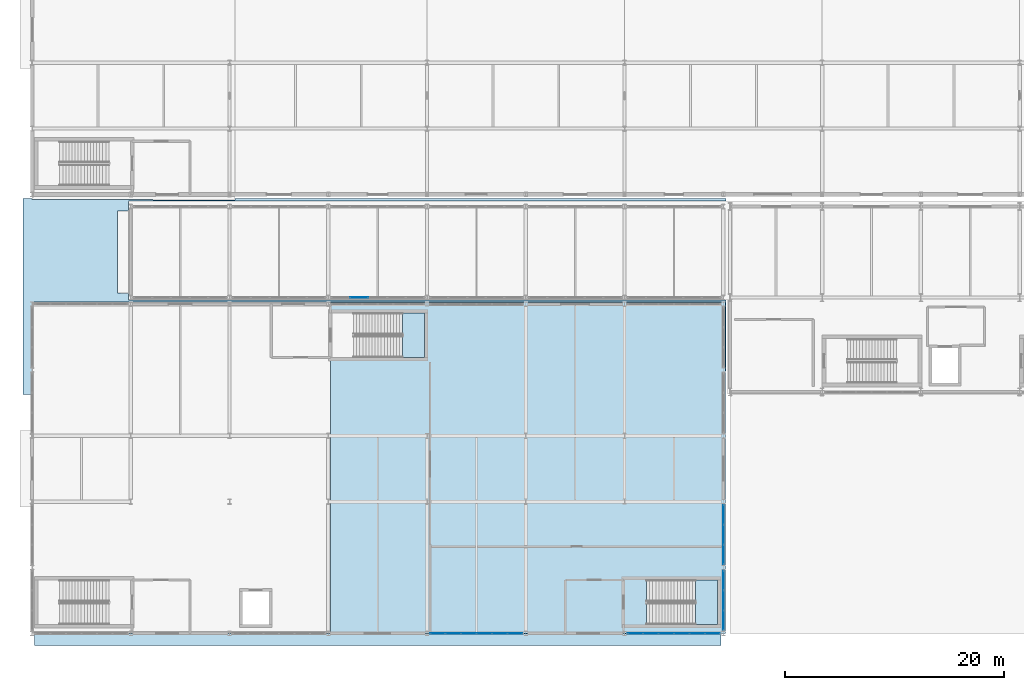
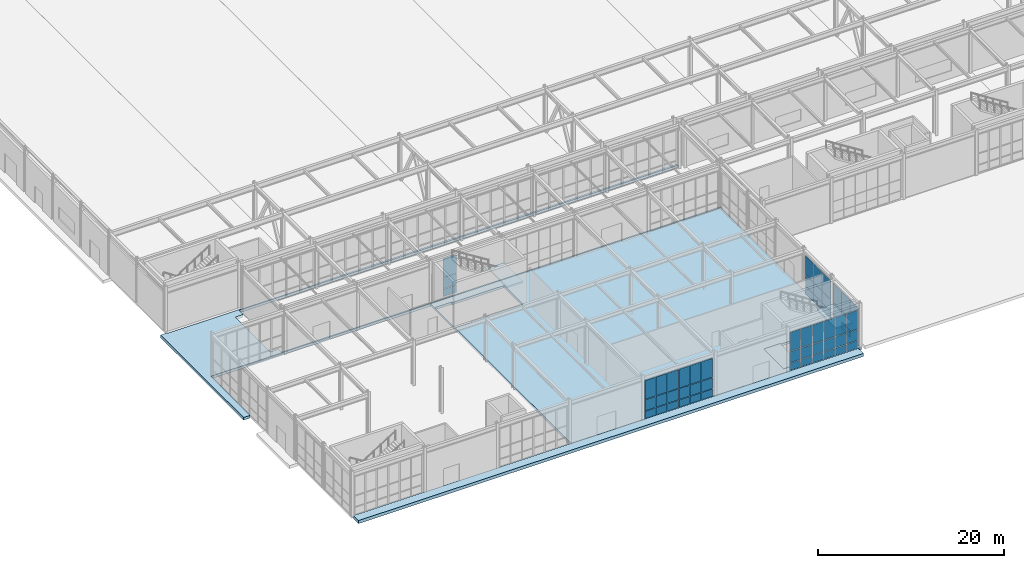
# One storey, part 103 of 146: 57 plates, 6 slabs, 7 elements without a shape of their own.
"""IFC4 building model written with IfcOpenShell, lengths in metres."""

from ifc_helpers import new_model, si_unit, direction, frame, origin, origin_2d, place, context, subcontext, project, spatial, polyline, rectangle, outline, extrude, material, layer, layer_set, type_object, element, aggregate, save


model = new_model("IFC4")

# Units and contexts
model_context = context("Model", 3, precision=1e-05, world=origin(), true_north=direction((0.0, 1.0)))
body_context = subcontext(model_context, "Body", "Model", "MODEL_VIEW")
ifc_project = project(units=[si_unit("LENGTHUNIT", "METRE"), si_unit("AREAUNIT", "SQUARE_METRE"), si_unit("VOLUMEUNIT", "CUBIC_METRE"), si_unit("PLANEANGLEUNIT", "RADIAN"), si_unit("MASSUNIT", "GRAM", prefix="KILO")], contexts=[model_context])

# Site, building, storey
site_placement = place(None, origin())
site = spatial("IfcSite", under=ifc_project, at=site_placement, CompositionType="ELEMENT")
building_placement = place(site_placement, origin())
building = spatial("IfcBuilding", under=site, at=building_placement, Name="Kaldris Quays Convention Centre", CompositionType="ELEMENT")
storey_placement = place(building_placement, origin())
storey = spatial("IfcBuildingStorey", under=building, at=storey_placement, Name="L00", CompositionType="ELEMENT", Elevation=0.0)

# Curtain wall, plates
ifc_material_1 = material(Name="Anodized aluminium AW-6060 and triple glazing", Category="aluminium")
curtain_wall_type_1 = type_object("IfcCurtainWallType", Name="UNITISED CURTAIN WALL CW01", PredefinedType="NOTDEFINED", material=ifc_material_1)
curtain_wall_1_placement = place(storey_placement, origin())
curtain_wall_1 = element("IfcCurtainWall", 1, at=curtain_wall_1_placement, inside=storey, type_object=curtain_wall_type_1, Name="L00 Unitised Curtain Wall CW01 49", PredefinedType="NOTDEFINED")
ifc_material_2 = material(Name="Triple low-E insulated glazing", Category="glass")
plate_type_1 = type_object("IfcPlateType", Name="CURTAIN GLAZING PANEL CWP1", PredefinedType="CURTAIN_PANEL", material=ifc_material_2)
plate_1_placement = place(storey_placement, frame((74.973388671875, 16.0, 0.06005859375), z_axis=(0.0, 0.0, 1.0), x_axis=(1.0, 0.0, 0.0)))
plate_1 = element("IfcPlate", 2, at=plate_1_placement, type_object=plate_type_1, Name="CW01 panel 1.1", PredefinedType="CURTAIN_PANEL", context=body_context, shape_type="SweptSolid", body=[
    extrude(rectangle(XDim=1.32666015625, YDim=0.029052734375, at=origin_2d()), origin(), (0.0, 0.0, 1.0), 0.9599609375),
])
plate_2_placement = place(storey_placement, frame((74.973388671875, 16.0, 1.080078125), z_axis=(0.0, 0.0, 1.0), x_axis=(1.0, 0.0, 0.0)))
plate_2 = element("IfcPlate", 3, at=plate_2_placement, type_object=plate_type_1, Name="CW01 panel 1.2", PredefinedType="CURTAIN_PANEL", context=body_context, shape_type="SweptSolid", body=[
    extrude(rectangle(XDim=1.32666015625, YDim=0.029052734375, at=origin_2d()), origin(), (0.0, 0.0, 1.0), 1.43896484375),
])
plate_3_placement = place(storey_placement, frame((74.973388671875, 16.0, 2.5791015625), z_axis=(0.0, 0.0, 1.0), x_axis=(1.0, 0.0, 0.0)))
plate_3 = element("IfcPlate", 4, at=plate_3_placement, type_object=plate_type_1, Name="CW01 panel 1.3", PredefinedType="CURTAIN_PANEL", context=body_context, shape_type="SweptSolid", body=[
    extrude(rectangle(XDim=1.32666015625, YDim=0.029052734375, at=origin_2d()), origin(), (0.0, 0.0, 1.0), 2.458984375),
])
plate_4_placement = place(storey_placement, frame((76.375, 16.0, 0.06005859375), z_axis=(0.0, 0.0, 1.0), x_axis=(1.0, 0.0, 0.0)))
plate_4 = element("IfcPlate", 5, at=plate_4_placement, type_object=plate_type_1, Name="CW01 panel 2.1", PredefinedType="CURTAIN_PANEL", context=body_context, shape_type="SweptSolid", body=[
    extrude(rectangle(XDim=1.356689453125, YDim=0.029052734375, at=origin_2d()), origin(), (0.0, 0.0, 1.0), 0.9599609375),
])
plate_5_placement = place(storey_placement, frame((76.375, 16.0, 1.080078125), z_axis=(0.0, 0.0, 1.0), x_axis=(1.0, 0.0, 0.0)))
plate_5 = element("IfcPlate", 6, at=plate_5_placement, type_object=plate_type_1, Name="CW01 panel 2.2", PredefinedType="CURTAIN_PANEL", context=body_context, shape_type="SweptSolid", body=[
    extrude(rectangle(XDim=1.356689453125, YDim=0.029052734375, at=origin_2d()), origin(), (0.0, 0.0, 1.0), 1.43896484375),
])
plate_6_placement = place(storey_placement, frame((76.375, 16.0, 2.5791015625), z_axis=(0.0, 0.0, 1.0), x_axis=(1.0, 0.0, 0.0)))
plate_6 = element("IfcPlate", 7, at=plate_6_placement, type_object=plate_type_1, Name="CW01 panel 2.3", PredefinedType="CURTAIN_PANEL", context=body_context, shape_type="SweptSolid", body=[
    extrude(rectangle(XDim=1.356689453125, YDim=0.029052734375, at=origin_2d()), origin(), (0.0, 0.0, 1.0), 2.458984375),
])
plate_7_placement = place(storey_placement, frame((77.791748046875, 16.0, 0.06005859375), z_axis=(0.0, 0.0, 1.0), x_axis=(1.0, 0.0, 0.0)))
plate_7 = element("IfcPlate", 8, at=plate_7_placement, type_object=plate_type_1, Name="CW01 panel 3.1", PredefinedType="CURTAIN_PANEL", context=body_context, shape_type="SweptSolid", body=[
    extrude(rectangle(XDim=1.356689453125, YDim=0.029052734375, at=origin_2d()), origin(), (0.0, 0.0, 1.0), 0.9599609375),
])
plate_8_placement = place(storey_placement, frame((77.791748046875, 16.0, 1.080078125), z_axis=(0.0, 0.0, 1.0), x_axis=(1.0, 0.0, 0.0)))
plate_8 = element("IfcPlate", 9, at=plate_8_placement, type_object=plate_type_1, Name="CW01 panel 3.2", PredefinedType="CURTAIN_PANEL", context=body_context, shape_type="SweptSolid", body=[
    extrude(rectangle(XDim=1.356689453125, YDim=0.029052734375, at=origin_2d()), origin(), (0.0, 0.0, 1.0), 1.43896484375),
])
plate_9_placement = place(storey_placement, frame((77.791748046875, 16.0, 2.5791015625), z_axis=(0.0, 0.0, 1.0), x_axis=(1.0, 0.0, 0.0)))
plate_9 = element("IfcPlate", 10, at=plate_9_placement, type_object=plate_type_1, Name="CW01 panel 3.3", PredefinedType="CURTAIN_PANEL", context=body_context, shape_type="SweptSolid", body=[
    extrude(rectangle(XDim=1.356689453125, YDim=0.029052734375, at=origin_2d()), origin(), (0.0, 0.0, 1.0), 2.458984375),
])
plate_10_placement = place(storey_placement, frame((79.208251953125, 16.0, 0.06005859375), z_axis=(0.0, 0.0, 1.0), x_axis=(1.0, 0.0, 0.0)))
plate_10 = element("IfcPlate", 11, at=plate_10_placement, type_object=plate_type_1, Name="CW01 panel 4.1", PredefinedType="CURTAIN_PANEL", context=body_context, shape_type="SweptSolid", body=[
    extrude(rectangle(XDim=1.356689453125, YDim=0.029052734375, at=origin_2d()), origin(), (0.0, 0.0, 1.0), 0.9599609375),
])
plate_11_placement = place(storey_placement, frame((79.208251953125, 16.0, 1.080078125), z_axis=(0.0, 0.0, 1.0), x_axis=(1.0, 0.0, 0.0)))
plate_11 = element("IfcPlate", 12, at=plate_11_placement, type_object=plate_type_1, Name="CW01 panel 4.2", PredefinedType="CURTAIN_PANEL", context=body_context, shape_type="SweptSolid", body=[
    extrude(rectangle(XDim=1.356689453125, YDim=0.029052734375, at=origin_2d()), origin(), (0.0, 0.0, 1.0), 1.43896484375),
])
plate_12_placement = place(storey_placement, frame((79.208251953125, 16.0, 2.5791015625), z_axis=(0.0, 0.0, 1.0), x_axis=(1.0, 0.0, 0.0)))
plate_12 = element("IfcPlate", 13, at=plate_12_placement, type_object=plate_type_1, Name="CW01 panel 4.3", PredefinedType="CURTAIN_PANEL", context=body_context, shape_type="SweptSolid", body=[
    extrude(rectangle(XDim=1.356689453125, YDim=0.029052734375, at=origin_2d()), origin(), (0.0, 0.0, 1.0), 2.458984375),
])
plate_13_placement = place(storey_placement, frame((80.625, 16.0, 0.06005859375), z_axis=(0.0, 0.0, 1.0), x_axis=(1.0, 0.0, 0.0)))
plate_13 = element("IfcPlate", 14, at=plate_13_placement, type_object=plate_type_1, Name="CW01 panel 5.1", PredefinedType="CURTAIN_PANEL", context=body_context, shape_type="SweptSolid", body=[
    extrude(rectangle(XDim=1.356689453125, YDim=0.029052734375, at=origin_2d()), origin(), (0.0, 0.0, 1.0), 0.9599609375),
])
plate_14_placement = place(storey_placement, frame((80.625, 16.0, 1.080078125), z_axis=(0.0, 0.0, 1.0), x_axis=(1.0, 0.0, 0.0)))
plate_14 = element("IfcPlate", 15, at=plate_14_placement, type_object=plate_type_1, Name="CW01 panel 5.2", PredefinedType="CURTAIN_PANEL", context=body_context, shape_type="SweptSolid", body=[
    extrude(rectangle(XDim=1.356689453125, YDim=0.029052734375, at=origin_2d()), origin(), (0.0, 0.0, 1.0), 1.43896484375),
])
plate_15_placement = place(storey_placement, frame((80.625, 16.0, 2.5791015625), z_axis=(0.0, 0.0, 1.0), x_axis=(1.0, 0.0, 0.0)))
plate_15 = element("IfcPlate", 16, at=plate_15_placement, type_object=plate_type_1, Name="CW01 panel 5.3", PredefinedType="CURTAIN_PANEL", context=body_context, shape_type="SweptSolid", body=[
    extrude(rectangle(XDim=1.356689453125, YDim=0.029052734375, at=origin_2d()), origin(), (0.0, 0.0, 1.0), 2.458984375),
])
plate_16_placement = place(storey_placement, frame((82.026611328125, 16.0, 0.06005859375), z_axis=(0.0, 0.0, 1.0), x_axis=(1.0, 0.0, 0.0)))
plate_16 = element("IfcPlate", 17, at=plate_16_placement, type_object=plate_type_1, Name="CW01 panel 6.1", PredefinedType="CURTAIN_PANEL", context=body_context, shape_type="SweptSolid", body=[
    extrude(rectangle(XDim=1.32666015625, YDim=0.029052734375, at=origin_2d()), origin(), (0.0, 0.0, 1.0), 0.9599609375),
])
plate_17_placement = place(storey_placement, frame((82.026611328125, 16.0, 1.080078125), z_axis=(0.0, 0.0, 1.0), x_axis=(1.0, 0.0, 0.0)))
plate_17 = element("IfcPlate", 18, at=plate_17_placement, type_object=plate_type_1, Name="CW01 panel 6.2", PredefinedType="CURTAIN_PANEL", context=body_context, shape_type="SweptSolid", body=[
    extrude(rectangle(XDim=1.32666015625, YDim=0.029052734375, at=origin_2d()), origin(), (0.0, 0.0, 1.0), 1.43896484375),
])
plate_18_placement = place(storey_placement, frame((82.026611328125, 16.0, 2.5791015625), z_axis=(0.0, 0.0, 1.0), x_axis=(1.0, 0.0, 0.0)))
plate_18 = element("IfcPlate", 19, at=plate_18_placement, type_object=plate_type_1, Name="CW01 panel 6.3", PredefinedType="CURTAIN_PANEL", context=body_context, shape_type="SweptSolid", body=[
    extrude(rectangle(XDim=1.32666015625, YDim=0.029052734375, at=origin_2d()), origin(), (0.0, 0.0, 1.0), 2.458984375),
])
aggregate(curtain_wall_1, [plate_1, plate_2, plate_3, plate_4, plate_5, plate_6, plate_7, plate_8, plate_9, plate_10, plate_11, plate_12, plate_13, plate_14, plate_15, plate_16, plate_17, plate_18])

curtain_wall_type_2 = type_object("IfcCurtainWallType", Name="UNITISED CURTAIN WALL CW02", PredefinedType="NOTDEFINED", material=ifc_material_1)
curtain_wall_2_placement = place(storey_placement, origin())
curtain_wall_2 = element("IfcCurtainWall", 20, at=curtain_wall_2_placement, inside=storey, type_object=curtain_wall_type_2, Name="L00 Unitised Curtain Wall CW02 82", PredefinedType="NOTDEFINED")
plate_type_2 = type_object("IfcPlateType", Name="CURTAIN GLAZING PANEL CWP2", PredefinedType="CURTAIN_PANEL", material=ifc_material_2)
plate_19_placement = place(storey_placement, frame((49.800048828125, 46.60009765625, 0.06005859375), z_axis=(0.0, 0.0, 1.0), x_axis=(1.0, 0.0, 0.0)))
plate_19 = element("IfcPlate", 21, at=plate_19_placement, type_object=plate_type_2, Name="CW02 panel 2.1", PredefinedType="CURTAIN_PANEL", context=body_context, shape_type="SweptSolid", body=[
    extrude(rectangle(XDim=1.639892578125, YDim=0.033935546875, at=origin_2d()), origin(), (0.0, 0.0, 1.0), 0.9599609375),
])
plate_20_placement = place(storey_placement, frame((49.800048828125, 46.60009765625, 1.080078125), z_axis=(0.0, 0.0, 1.0), x_axis=(1.0, 0.0, 0.0)))
plate_20 = element("IfcPlate", 22, at=plate_20_placement, type_object=plate_type_2, Name="CW02 panel 2.2", PredefinedType="CURTAIN_PANEL", context=body_context, shape_type="SweptSolid", body=[
    extrude(rectangle(XDim=1.639892578125, YDim=0.033935546875, at=origin_2d()), origin(), (0.0, 0.0, 1.0), 1.43994140625),
])
plate_21_placement = place(storey_placement, frame((49.800048828125, 46.60009765625, 2.580078125), z_axis=(0.0, 0.0, 1.0), x_axis=(1.0, 0.0, 0.0)))
plate_21 = element("IfcPlate", 23, at=plate_21_placement, type_object=plate_type_2, Name="CW02 panel 2.3", PredefinedType="CURTAIN_PANEL", context=body_context, shape_type="SweptSolid", body=[
    extrude(rectangle(XDim=1.639892578125, YDim=0.033935546875, at=origin_2d()), origin(), (0.0, 0.0, 1.0), 2.4599609375),
])
aggregate(curtain_wall_2, [plate_19, plate_20, plate_21])

curtain_wall_type_3 = type_object("IfcCurtainWallType", Name="UNITISED CURTAIN WALL CW05", PredefinedType="NOTDEFINED", material=ifc_material_1)
curtain_wall_3_placement = place(storey_placement, origin())
curtain_wall_3 = element("IfcCurtainWall", 24, at=curtain_wall_3_placement, inside=storey, type_object=curtain_wall_type_3, Name="L00 Unitised Curtain Wall CW05 52", PredefinedType="NOTDEFINED")
plate_type_3 = type_object("IfcPlateType", Name="CURTAIN GLAZING PANEL CWP4", PredefinedType="CURTAIN_PANEL", material=ifc_material_2)
plate_22_placement = place(storey_placement, frame((83.0, 17.181640625, 0.06005859375), z_axis=(0.0, 0.0, 1.0), x_axis=(0.0, 1.0, 0.0)))
plate_22 = element("IfcPlate", 25, at=plate_22_placement, type_object=plate_type_3, Name="CW05 panel 1.1", PredefinedType="CURTAIN_PANEL", context=body_context, shape_type="SweptSolid", body=[
    extrude(rectangle(XDim=1.743408203125, YDim=0.0439453125, at=origin_2d()), origin(), (0.0, 0.0, 1.0), 0.9599609375),
])
plate_23_placement = place(storey_placement, frame((83.0, 17.181640625, 1.080078125), z_axis=(0.0, 0.0, 1.0), x_axis=(0.0, 1.0, 0.0)))
plate_23 = element("IfcPlate", 26, at=plate_23_placement, type_object=plate_type_3, Name="CW05 panel 1.2", PredefinedType="CURTAIN_PANEL", context=body_context, shape_type="SweptSolid", body=[
    extrude(rectangle(XDim=1.743408203125, YDim=0.0439453125, at=origin_2d()), origin(), (0.0, 0.0, 1.0), 1.43896484375),
])
plate_24_placement = place(storey_placement, frame((83.0, 17.181640625, 2.5791015625), z_axis=(0.0, 0.0, 1.0), x_axis=(0.0, 1.0, 0.0)))
plate_24 = element("IfcPlate", 27, at=plate_24_placement, type_object=plate_type_3, Name="CW05 panel 1.3", PredefinedType="CURTAIN_PANEL", context=body_context, shape_type="SweptSolid", body=[
    extrude(rectangle(XDim=1.743408203125, YDim=0.0439453125, at=origin_2d()), origin(), (0.0, 0.0, 1.0), 2.458984375),
])
plate_25_placement = place(storey_placement, frame((83.0, 19.0, 0.06005859375), z_axis=(0.0, 0.0, 1.0), x_axis=(0.0, 1.0, 0.0)))
plate_25 = element("IfcPlate", 28, at=plate_25_placement, type_object=plate_type_3, Name="CW05 panel 2.1", PredefinedType="CURTAIN_PANEL", context=body_context, shape_type="SweptSolid", body=[
    extrude(rectangle(XDim=1.7734375, YDim=0.0439453125, at=origin_2d()), origin(), (0.0, 0.0, 1.0), 0.9599609375),
])
plate_26_placement = place(storey_placement, frame((83.0, 19.0, 1.080078125), z_axis=(0.0, 0.0, 1.0), x_axis=(0.0, 1.0, 0.0)))
plate_26 = element("IfcPlate", 29, at=plate_26_placement, type_object=plate_type_3, Name="CW05 panel 2.2", PredefinedType="CURTAIN_PANEL", context=body_context, shape_type="SweptSolid", body=[
    extrude(rectangle(XDim=1.7734375, YDim=0.0439453125, at=origin_2d()), origin(), (0.0, 0.0, 1.0), 1.43896484375),
])
plate_27_placement = place(storey_placement, frame((83.0, 19.0, 2.5791015625), z_axis=(0.0, 0.0, 1.0), x_axis=(0.0, 1.0, 0.0)))
plate_27 = element("IfcPlate", 30, at=plate_27_placement, type_object=plate_type_3, Name="CW05 panel 2.3", PredefinedType="CURTAIN_PANEL", context=body_context, shape_type="SweptSolid", body=[
    extrude(rectangle(XDim=1.7734375, YDim=0.0439453125, at=origin_2d()), origin(), (0.0, 0.0, 1.0), 2.458984375),
])
plate_28_placement = place(storey_placement, frame((83.0, 20.818359375, 0.06005859375), z_axis=(0.0, 0.0, 1.0), x_axis=(0.0, 1.0, 0.0)))
plate_28 = element("IfcPlate", 31, at=plate_28_placement, type_object=plate_type_3, Name="CW05 panel 3.1", PredefinedType="CURTAIN_PANEL", context=body_context, shape_type="SweptSolid", body=[
    extrude(rectangle(XDim=1.743408203125, YDim=0.0439453125, at=origin_2d()), origin(), (0.0, 0.0, 1.0), 0.9599609375),
])
plate_29_placement = place(storey_placement, frame((83.0, 20.818359375, 1.080078125), z_axis=(0.0, 0.0, 1.0), x_axis=(0.0, 1.0, 0.0)))
plate_29 = element("IfcPlate", 32, at=plate_29_placement, type_object=plate_type_3, Name="CW05 panel 3.2", PredefinedType="CURTAIN_PANEL", context=body_context, shape_type="SweptSolid", body=[
    extrude(rectangle(XDim=1.743408203125, YDim=0.0439453125, at=origin_2d()), origin(), (0.0, 0.0, 1.0), 1.43896484375),
])
plate_30_placement = place(storey_placement, frame((83.0, 20.818359375, 2.5791015625), z_axis=(0.0, 0.0, 1.0), x_axis=(0.0, 1.0, 0.0)))
plate_30 = element("IfcPlate", 33, at=plate_30_placement, type_object=plate_type_3, Name="CW05 panel 3.3", PredefinedType="CURTAIN_PANEL", context=body_context, shape_type="SweptSolid", body=[
    extrude(rectangle(XDim=1.743408203125, YDim=0.0439453125, at=origin_2d()), origin(), (0.0, 0.0, 1.0), 2.458984375),
])
aggregate(curtain_wall_3, [plate_22, plate_23, plate_24, plate_25, plate_26, plate_27, plate_28, plate_29, plate_30])

curtain_wall_4_placement = place(storey_placement, origin())
curtain_wall_4 = element("IfcCurtainWall", 34, at=curtain_wall_4_placement, inside=storey, type_object=curtain_wall_type_3, Name="L00 Unitised Curtain Wall CW05 54", PredefinedType="NOTDEFINED")
plate_type_4 = type_object("IfcPlateType", Name="CURTAIN GLAZING PANEL CWP6", PredefinedType="CURTAIN_PANEL", material=ifc_material_2)
plate_31_placement = place(storey_placement, frame((83.0, 23.181640625, 0.06005859375), z_axis=(0.0, 0.0, 1.0), x_axis=(0.0, 1.0, 0.0)))
plate_31 = element("IfcPlate", 35, at=plate_31_placement, type_object=plate_type_4, Name="CW05 panel 1.1", PredefinedType="CURTAIN_PANEL", context=body_context, shape_type="SweptSolid", body=[
    extrude(rectangle(XDim=1.743408203125, YDim=0.053955078125, at=origin_2d()), origin(), (0.0, 0.0, 1.0), 0.9599609375),
])
plate_32_placement = place(storey_placement, frame((83.0, 23.181640625, 1.080078125), z_axis=(0.0, 0.0, 1.0), x_axis=(0.0, 1.0, 0.0)))
plate_32 = element("IfcPlate", 36, at=plate_32_placement, type_object=plate_type_4, Name="CW05 panel 1.2", PredefinedType="CURTAIN_PANEL", context=body_context, shape_type="SweptSolid", body=[
    extrude(rectangle(XDim=1.743408203125, YDim=0.053955078125, at=origin_2d()), origin(), (0.0, 0.0, 1.0), 1.43896484375),
])
plate_33_placement = place(storey_placement, frame((83.0, 23.181640625, 2.5791015625), z_axis=(0.0, 0.0, 1.0), x_axis=(0.0, 1.0, 0.0)))
plate_33 = element("IfcPlate", 37, at=plate_33_placement, type_object=plate_type_4, Name="CW05 panel 1.3", PredefinedType="CURTAIN_PANEL", context=body_context, shape_type="SweptSolid", body=[
    extrude(rectangle(XDim=1.743408203125, YDim=0.053955078125, at=origin_2d()), origin(), (0.0, 0.0, 1.0), 2.458984375),
])
plate_34_placement = place(storey_placement, frame((83.0, 25.0, 0.06005859375), z_axis=(0.0, 0.0, 1.0), x_axis=(0.0, 1.0, 0.0)))
plate_34 = element("IfcPlate", 38, at=plate_34_placement, type_object=plate_type_4, Name="CW05 panel 2.1", PredefinedType="CURTAIN_PANEL", context=body_context, shape_type="SweptSolid", body=[
    extrude(rectangle(XDim=1.7734375, YDim=0.053955078125, at=origin_2d()), origin(), (0.0, 0.0, 1.0), 0.9599609375),
])
plate_35_placement = place(storey_placement, frame((83.0, 25.0, 1.080078125), z_axis=(0.0, 0.0, 1.0), x_axis=(0.0, 1.0, 0.0)))
plate_35 = element("IfcPlate", 39, at=plate_35_placement, type_object=plate_type_4, Name="CW05 panel 2.2", PredefinedType="CURTAIN_PANEL", context=body_context, shape_type="SweptSolid", body=[
    extrude(rectangle(XDim=1.7734375, YDim=0.053955078125, at=origin_2d()), origin(), (0.0, 0.0, 1.0), 1.43896484375),
])
plate_36_placement = place(storey_placement, frame((83.0, 25.0, 2.5791015625), z_axis=(0.0, 0.0, 1.0), x_axis=(0.0, 1.0, 0.0)))
plate_36 = element("IfcPlate", 40, at=plate_36_placement, type_object=plate_type_4, Name="CW05 panel 2.3", PredefinedType="CURTAIN_PANEL", context=body_context, shape_type="SweptSolid", body=[
    extrude(rectangle(XDim=1.7734375, YDim=0.053955078125, at=origin_2d()), origin(), (0.0, 0.0, 1.0), 2.458984375),
])
plate_37_placement = place(storey_placement, frame((83.0, 26.818359375, 0.06005859375), z_axis=(0.0, 0.0, 1.0), x_axis=(0.0, 1.0, 0.0)))
plate_37 = element("IfcPlate", 41, at=plate_37_placement, type_object=plate_type_4, Name="CW05 panel 3.1", PredefinedType="CURTAIN_PANEL", context=body_context, shape_type="SweptSolid", body=[
    extrude(rectangle(XDim=1.743408203125, YDim=0.053955078125, at=origin_2d()), origin(), (0.0, 0.0, 1.0), 0.9599609375),
])
plate_38_placement = place(storey_placement, frame((83.0, 26.818359375, 1.080078125), z_axis=(0.0, 0.0, 1.0), x_axis=(0.0, 1.0, 0.0)))
plate_38 = element("IfcPlate", 42, at=plate_38_placement, type_object=plate_type_4, Name="CW05 panel 3.2", PredefinedType="CURTAIN_PANEL", context=body_context, shape_type="SweptSolid", body=[
    extrude(rectangle(XDim=1.743408203125, YDim=0.053955078125, at=origin_2d()), origin(), (0.0, 0.0, 1.0), 1.43896484375),
])
plate_39_placement = place(storey_placement, frame((83.0, 26.818359375, 2.5791015625), z_axis=(0.0, 0.0, 1.0), x_axis=(0.0, 1.0, 0.0)))
plate_39 = element("IfcPlate", 43, at=plate_39_placement, type_object=plate_type_4, Name="CW05 panel 3.3", PredefinedType="CURTAIN_PANEL", context=body_context, shape_type="SweptSolid", body=[
    extrude(rectangle(XDim=1.743408203125, YDim=0.053955078125, at=origin_2d()), origin(), (0.0, 0.0, 1.0), 2.458984375),
])
aggregate(curtain_wall_4, [plate_31, plate_32, plate_33, plate_34, plate_35, plate_36, plate_37, plate_38, plate_39])

curtain_wall_5_placement = place(storey_placement, origin())
curtain_wall_5 = element("IfcCurtainWall", 44, at=curtain_wall_5_placement, inside=storey, type_object=curtain_wall_type_1, Name="L00 Unitised Curtain Wall CW01 47", PredefinedType="NOTDEFINED")
plate_type_5 = type_object("IfcPlateType", Name="CURTAIN GLAZING PANEL CWP7", PredefinedType="CURTAIN_PANEL", material=ifc_material_2)
plate_40_placement = place(storey_placement, frame((56.973388671875, 16.0, 0.06005859375), z_axis=(0.0, 0.0, 1.0), x_axis=(1.0, 0.0, 0.0)))
plate_40 = element("IfcPlate", 45, at=plate_40_placement, type_object=plate_type_5, Name="CW01 panel 1.1", PredefinedType="CURTAIN_PANEL", context=body_context, shape_type="SweptSolid", body=[
    extrude(rectangle(XDim=1.32666015625, YDim=0.05908203125, at=origin_2d()), origin(), (0.0, 0.0, 1.0), 0.9599609375),
])
plate_41_placement = place(storey_placement, frame((56.973388671875, 16.0, 1.080078125), z_axis=(0.0, 0.0, 1.0), x_axis=(1.0, 0.0, 0.0)))
plate_41 = element("IfcPlate", 46, at=plate_41_placement, type_object=plate_type_5, Name="CW01 panel 1.2", PredefinedType="CURTAIN_PANEL", context=body_context, shape_type="SweptSolid", body=[
    extrude(rectangle(XDim=1.32666015625, YDim=0.05908203125, at=origin_2d()), origin(), (0.0, 0.0, 1.0), 1.43896484375),
])
plate_42_placement = place(storey_placement, frame((56.973388671875, 16.0, 2.5791015625), z_axis=(0.0, 0.0, 1.0), x_axis=(1.0, 0.0, 0.0)))
plate_42 = element("IfcPlate", 47, at=plate_42_placement, type_object=plate_type_5, Name="CW01 panel 1.3", PredefinedType="CURTAIN_PANEL", context=body_context, shape_type="SweptSolid", body=[
    extrude(rectangle(XDim=1.32666015625, YDim=0.05908203125, at=origin_2d()), origin(), (0.0, 0.0, 1.0), 2.458984375),
])
plate_43_placement = place(storey_placement, frame((58.375, 16.0, 0.06005859375), z_axis=(0.0, 0.0, 1.0), x_axis=(1.0, 0.0, 0.0)))
plate_43 = element("IfcPlate", 48, at=plate_43_placement, type_object=plate_type_5, Name="CW01 panel 2.1", PredefinedType="CURTAIN_PANEL", context=body_context, shape_type="SweptSolid", body=[
    extrude(rectangle(XDim=1.356689453125, YDim=0.05908203125, at=origin_2d()), origin(), (0.0, 0.0, 1.0), 0.9599609375),
])
plate_44_placement = place(storey_placement, frame((58.375, 16.0, 1.080078125), z_axis=(0.0, 0.0, 1.0), x_axis=(1.0, 0.0, 0.0)))
plate_44 = element("IfcPlate", 49, at=plate_44_placement, type_object=plate_type_5, Name="CW01 panel 2.2", PredefinedType="CURTAIN_PANEL", context=body_context, shape_type="SweptSolid", body=[
    extrude(rectangle(XDim=1.356689453125, YDim=0.05908203125, at=origin_2d()), origin(), (0.0, 0.0, 1.0), 1.43896484375),
])
plate_45_placement = place(storey_placement, frame((58.375, 16.0, 2.5791015625), z_axis=(0.0, 0.0, 1.0), x_axis=(1.0, 0.0, 0.0)))
plate_45 = element("IfcPlate", 50, at=plate_45_placement, type_object=plate_type_5, Name="CW01 panel 2.3", PredefinedType="CURTAIN_PANEL", context=body_context, shape_type="SweptSolid", body=[
    extrude(rectangle(XDim=1.356689453125, YDim=0.05908203125, at=origin_2d()), origin(), (0.0, 0.0, 1.0), 2.458984375),
])
plate_46_placement = place(storey_placement, frame((59.791748046875, 16.0, 0.06005859375), z_axis=(0.0, 0.0, 1.0), x_axis=(1.0, 0.0, 0.0)))
plate_46 = element("IfcPlate", 51, at=plate_46_placement, type_object=plate_type_5, Name="CW01 panel 3.1", PredefinedType="CURTAIN_PANEL", context=body_context, shape_type="SweptSolid", body=[
    extrude(rectangle(XDim=1.356689453125, YDim=0.05908203125, at=origin_2d()), origin(), (0.0, 0.0, 1.0), 0.9599609375),
])
plate_47_placement = place(storey_placement, frame((59.791748046875, 16.0, 1.080078125), z_axis=(0.0, 0.0, 1.0), x_axis=(1.0, 0.0, 0.0)))
plate_47 = element("IfcPlate", 52, at=plate_47_placement, type_object=plate_type_5, Name="CW01 panel 3.2", PredefinedType="CURTAIN_PANEL", context=body_context, shape_type="SweptSolid", body=[
    extrude(rectangle(XDim=1.356689453125, YDim=0.05908203125, at=origin_2d()), origin(), (0.0, 0.0, 1.0), 1.43896484375),
])
plate_48_placement = place(storey_placement, frame((59.791748046875, 16.0, 2.5791015625), z_axis=(0.0, 0.0, 1.0), x_axis=(1.0, 0.0, 0.0)))
plate_48 = element("IfcPlate", 53, at=plate_48_placement, type_object=plate_type_5, Name="CW01 panel 3.3", PredefinedType="CURTAIN_PANEL", context=body_context, shape_type="SweptSolid", body=[
    extrude(rectangle(XDim=1.356689453125, YDim=0.05908203125, at=origin_2d()), origin(), (0.0, 0.0, 1.0), 2.458984375),
])
plate_49_placement = place(storey_placement, frame((61.208251953125, 16.0, 0.06005859375), z_axis=(0.0, 0.0, 1.0), x_axis=(1.0, 0.0, 0.0)))
plate_49 = element("IfcPlate", 54, at=plate_49_placement, type_object=plate_type_5, Name="CW01 panel 4.1", PredefinedType="CURTAIN_PANEL", context=body_context, shape_type="SweptSolid", body=[
    extrude(rectangle(XDim=1.356689453125, YDim=0.05908203125, at=origin_2d()), origin(), (0.0, 0.0, 1.0), 0.9599609375),
])
plate_50_placement = place(storey_placement, frame((61.208251953125, 16.0, 1.080078125), z_axis=(0.0, 0.0, 1.0), x_axis=(1.0, 0.0, 0.0)))
plate_50 = element("IfcPlate", 55, at=plate_50_placement, type_object=plate_type_5, Name="CW01 panel 4.2", PredefinedType="CURTAIN_PANEL", context=body_context, shape_type="SweptSolid", body=[
    extrude(rectangle(XDim=1.356689453125, YDim=0.05908203125, at=origin_2d()), origin(), (0.0, 0.0, 1.0), 1.43896484375),
])
plate_51_placement = place(storey_placement, frame((61.208251953125, 16.0, 2.5791015625), z_axis=(0.0, 0.0, 1.0), x_axis=(1.0, 0.0, 0.0)))
plate_51 = element("IfcPlate", 56, at=plate_51_placement, type_object=plate_type_5, Name="CW01 panel 4.3", PredefinedType="CURTAIN_PANEL", context=body_context, shape_type="SweptSolid", body=[
    extrude(rectangle(XDim=1.356689453125, YDim=0.05908203125, at=origin_2d()), origin(), (0.0, 0.0, 1.0), 2.458984375),
])
plate_52_placement = place(storey_placement, frame((62.625, 16.0, 0.06005859375), z_axis=(0.0, 0.0, 1.0), x_axis=(1.0, 0.0, 0.0)))
plate_52 = element("IfcPlate", 57, at=plate_52_placement, type_object=plate_type_5, Name="CW01 panel 5.1", PredefinedType="CURTAIN_PANEL", context=body_context, shape_type="SweptSolid", body=[
    extrude(rectangle(XDim=1.356689453125, YDim=0.05908203125, at=origin_2d()), origin(), (0.0, 0.0, 1.0), 0.9599609375),
])
plate_53_placement = place(storey_placement, frame((62.625, 16.0, 1.080078125), z_axis=(0.0, 0.0, 1.0), x_axis=(1.0, 0.0, 0.0)))
plate_53 = element("IfcPlate", 58, at=plate_53_placement, type_object=plate_type_5, Name="CW01 panel 5.2", PredefinedType="CURTAIN_PANEL", context=body_context, shape_type="SweptSolid", body=[
    extrude(rectangle(XDim=1.356689453125, YDim=0.05908203125, at=origin_2d()), origin(), (0.0, 0.0, 1.0), 1.43896484375),
])
plate_54_placement = place(storey_placement, frame((62.625, 16.0, 2.5791015625), z_axis=(0.0, 0.0, 1.0), x_axis=(1.0, 0.0, 0.0)))
plate_54 = element("IfcPlate", 59, at=plate_54_placement, type_object=plate_type_5, Name="CW01 panel 5.3", PredefinedType="CURTAIN_PANEL", context=body_context, shape_type="SweptSolid", body=[
    extrude(rectangle(XDim=1.356689453125, YDim=0.05908203125, at=origin_2d()), origin(), (0.0, 0.0, 1.0), 2.458984375),
])
plate_55_placement = place(storey_placement, frame((64.026611328125, 16.0, 0.06005859375), z_axis=(0.0, 0.0, 1.0), x_axis=(1.0, 0.0, 0.0)))
plate_55 = element("IfcPlate", 60, at=plate_55_placement, type_object=plate_type_5, Name="CW01 panel 6.1", PredefinedType="CURTAIN_PANEL", context=body_context, shape_type="SweptSolid", body=[
    extrude(rectangle(XDim=1.32666015625, YDim=0.05908203125, at=origin_2d()), origin(), (0.0, 0.0, 1.0), 0.9599609375),
])
plate_56_placement = place(storey_placement, frame((64.026611328125, 16.0, 1.080078125), z_axis=(0.0, 0.0, 1.0), x_axis=(1.0, 0.0, 0.0)))
plate_56 = element("IfcPlate", 61, at=plate_56_placement, type_object=plate_type_5, Name="CW01 panel 6.2", PredefinedType="CURTAIN_PANEL", context=body_context, shape_type="SweptSolid", body=[
    extrude(rectangle(XDim=1.32666015625, YDim=0.05908203125, at=origin_2d()), origin(), (0.0, 0.0, 1.0), 1.43896484375),
])
plate_57_placement = place(storey_placement, frame((64.026611328125, 16.0, 2.5791015625), z_axis=(0.0, 0.0, 1.0), x_axis=(1.0, 0.0, 0.0)))
plate_57 = element("IfcPlate", 62, at=plate_57_placement, type_object=plate_type_5, Name="CW01 panel 6.3", PredefinedType="CURTAIN_PANEL", context=body_context, shape_type="SweptSolid", body=[
    extrude(rectangle(XDim=1.32666015625, YDim=0.05908203125, at=origin_2d()), origin(), (0.0, 0.0, 1.0), 2.458984375),
])
aggregate(curtain_wall_5, [plate_40, plate_41, plate_42, plate_43, plate_44, plate_45, plate_46, plate_47, plate_48, plate_49, plate_50, plate_51, plate_52, plate_53, plate_54, plate_55, plate_56, plate_57])

# Stair, slab
ifc_material_3 = material(Name="Concrete C35/45", Category="concrete")
stair_type = type_object("IfcStairType", Name="DOGLEG ESCAPE STAIR STF2", PredefinedType="TWO_STRAIGHT_RUN_STAIR", material=ifc_material_3)
stair_1_placement = place(storey_placement, origin())
stair_1 = element("IfcStair", 63, at=stair_1_placement, inside=storey, type_object=stair_type, Name="L00 Escape Stair ST06", PredefinedType="TWO_STRAIGHT_RUN_STAIR")
ifc_layer_1 = layer(ifc_material_3, 0.205078125)
ifc_layer_set_1 = layer_set([ifc_layer_1], Name="Concrete C35/45")
slab_type_1 = type_object("IfcSlabType", Name="STAIR LANDING SLAB LS01", PredefinedType="LANDING", material=ifc_layer_set_1)
slab_1_placement = place(storey_placement, frame((0.0, 0.0, 2.794921875)))
slab_1 = element("IfcSlab", 64, at=slab_1_placement, type_object=slab_type_1, Name="STF2 landing 1", PredefinedType="LANDING", context=body_context, shape_type="SweptSolid", body=[
    extrude(outline(polyline([(80.47998046875, 16.800048828125), (82.449951171875, 16.800048828125), (82.449951171875, 20.85009765625), (80.47998046875, 20.85009765625), (80.47998046875, 16.800048828125)])), origin(), (0.0, 0.0, 1.0), 0.205078125),
])
aggregate(stair_1, [slab_1])

stair_2_placement = place(storey_placement, origin())
stair_2 = element("IfcStair", 65, at=stair_2_placement, inside=storey, type_object=stair_type, Name="L00 Escape Stair ST07", PredefinedType="TWO_STRAIGHT_RUN_STAIR")
slab_2_placement = place(storey_placement, frame((0.0, 0.0, 2.794921875)))
slab_2 = element("IfcSlab", 66, at=slab_2_placement, type_object=slab_type_1, Name="STF2 landing 1", PredefinedType="LANDING", context=body_context, shape_type="SweptSolid", body=[
    extrude(outline(polyline([(53.780029296875, 41.14990234375), (55.75, 41.14990234375), (55.75, 45.199951171875), (53.780029296875, 45.199951171875), (53.780029296875, 41.14990234375)])), origin(), (0.0, 0.0, 1.0), 0.205078125),
])
aggregate(stair_2, [slab_2])

# Slabs
ifc_layer_2 = layer(ifc_material_3, 0.39990234375)
ifc_layer_set_2 = layer_set([ifc_layer_2], Name="Concrete C35/45")
slab_type_2 = type_object("IfcSlabType", Name="STRUCTURAL SLAB BS03", PredefinedType="BASESLAB", material=ifc_layer_set_2)
slab_3_placement = place(storey_placement, frame((0.0, 0.0, -0.39990234375)))
element("IfcSlab", 67, at=slab_3_placement, inside=storey, type_object=slab_type_2, Name="L00 Entrance Threshold Apron 7 SLAB-L00-THRESH-7", PredefinedType="BASESLAB", context=body_context, shape_type="SweptSolid", body=[
    extrude(outline(polyline([(82.800048828125, 14.89990234375), (20.199951171875, 14.89990234375), (20.199951171875, 15.998046875), (82.800048828125, 15.998046875), (82.800048828125, 14.89990234375)])), origin(), (0.0, 0.0, 1.0), 0.39990234375),
])
ifc_layer_3 = layer(ifc_material_3, 0.35009765625)
ifc_layer_set_3 = layer_set([ifc_layer_3], Name="Concrete C35/45")
slab_type_3 = type_object("IfcSlabType", Name="STRUCTURAL SLAB BS04", PredefinedType="BASESLAB", material=ifc_layer_set_3)
slab_4_placement = place(storey_placement, frame((0.0, 0.0, -0.35009765625)))
element("IfcSlab", 68, at=slab_4_placement, inside=storey, type_object=slab_type_3, Name="L00 Harbour Quay and Service Yard Plinth Slab 1", PredefinedType="BASESLAB", context=body_context, shape_type="SweptSolid", body=[
    extrude(outline(polyline([(19.985107421875, 55.52490234375), (38.47509765625, 55.510009765625), (38.489990234375, 55.612548828125), (83.22509765625, 55.612548828125), (83.22509765625, 55.389892578125), (28.800048828125, 55.389892578125), (28.784912109375, 54.514892578125), (27.784912109375, 54.5), (27.78515625, 46.99853515625), (28.784912109375, 46.985107421875), (28.798583984375, 46.385009765625), (83.22509765625, 46.385009765625), (83.22509765625, 37.77490234375), (83.199951171875, 46.215087890625), (19.99853515625, 46.21484375), (19.985107421875, 37.77490234375), (19.169921875, 37.77490234375), (19.169921875, 55.612548828125), (19.985107421875, 55.612548828125), (19.985107421875, 55.52490234375)])), origin(), (0.0, 0.0, 1.0), 0.35009765625),
])
ifc_layer_4 = layer(ifc_material_3, 0.294921875)
ifc_layer_set_4 = layer_set([ifc_layer_4], Name="Concrete C35/45")
slab_type_4 = type_object("IfcSlabType", Name="STRUCTURAL SLAB FS04", PredefinedType="FLOOR", material=ifc_layer_set_4)
slab_5_placement = place(storey_placement, frame((0.0, 0.0, -0.294921875)))
element("IfcSlab", 69, at=slab_5_placement, inside=storey, type_object=slab_type_4, Name="L00 V3 Arrival Slab B SLAB-L00-V3B", PredefinedType="FLOOR", context=body_context, shape_type="SweptSolid", body=[
    extrude(outline(polyline([(83.199951171875, 46.199951171875), (83.199951171875, 16.0), (47.201904296875, 16.0), (47.201904296875, 46.199951171875), (83.199951171875, 46.199951171875)]), holes=[polyline([(76.000732421875, 20.9716796875), (73.92822265625, 20.970947265625), (73.928955078125, 16.67822265625), (76.000244140625, 16.677978515625), (76.001953125, 16.800048828125), (82.449951171875, 16.800048828125), (82.449951171875, 20.85009765625), (76.001953125, 20.85009765625), (76.000732421875, 20.9716796875)]), polyline([(49.3017578125, 41.029296875), (49.302001953125, 41.14990234375), (55.75, 41.14990234375), (55.75, 45.199951171875), (49.302001953125, 45.199951171875), (49.30029296875, 45.322021484375), (47.22900390625, 45.32177734375), (47.228271484375, 41.029052734375), (49.3017578125, 41.029296875)])]), origin(), (0.0, 0.0, 1.0), 0.294921875),
])
ifc_layer_5 = layer(ifc_material_3, 0.27490234375)
ifc_layer_set_5 = layer_set([ifc_layer_5], Name="Concrete C35/45")
slab_type_5 = type_object("IfcSlabType", Name="STRUCTURAL SLAB FS05", PredefinedType="FLOOR", material=ifc_layer_set_5)
slab_6_placement = place(storey_placement, frame((0.0, 0.0, -0.27490234375)))
element("IfcSlab", 70, at=slab_6_placement, inside=storey, type_object=slab_type_5, Name="L00 ST06 Core Floor Landing Slab", PredefinedType="FLOOR", context=body_context, shape_type="SweptSolid", body=[
    extrude(outline(polyline([(73.929931640625, 16.679931640625), (76.0, 16.679931640625), (76.0, 20.969970703125), (73.929931640625, 20.969970703125), (73.929931640625, 16.679931640625)])), origin(), (0.0, 0.0, 1.0), 0.27490234375),
])

save(model, "model.ifc")
